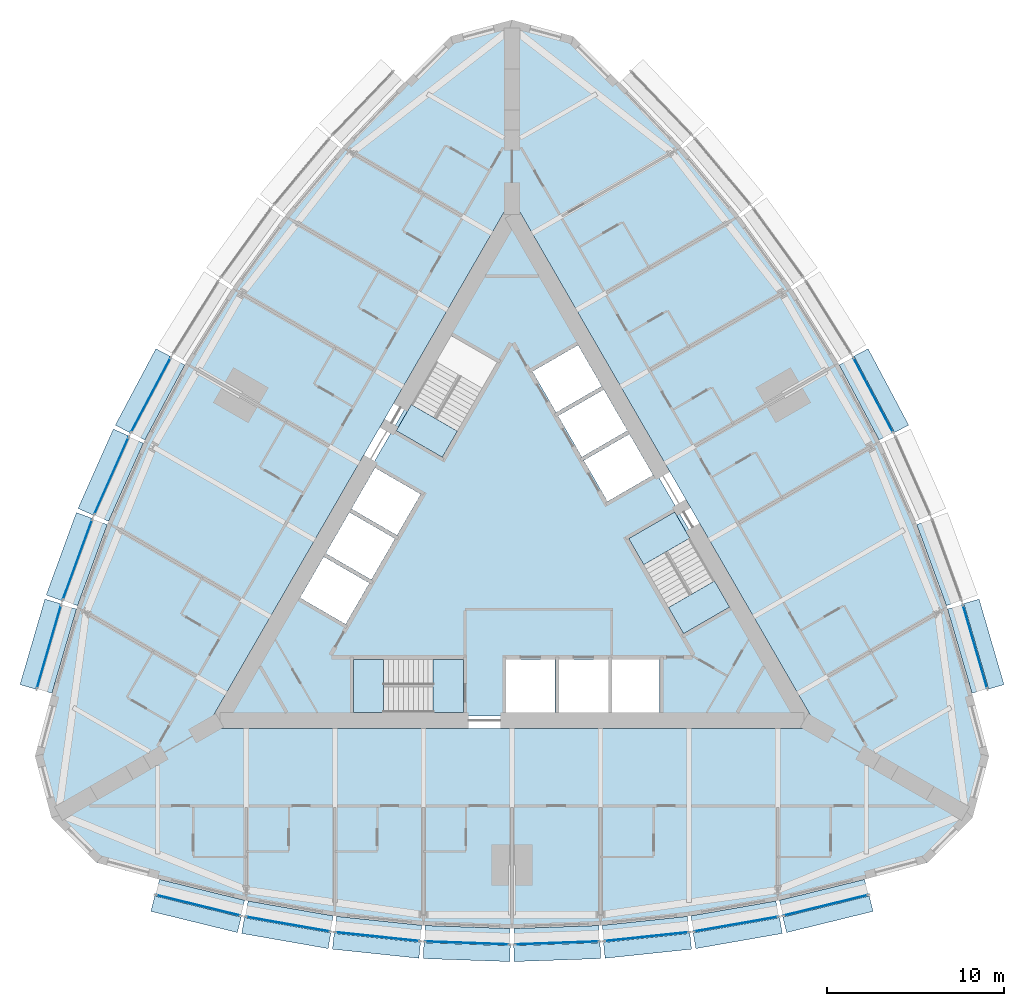
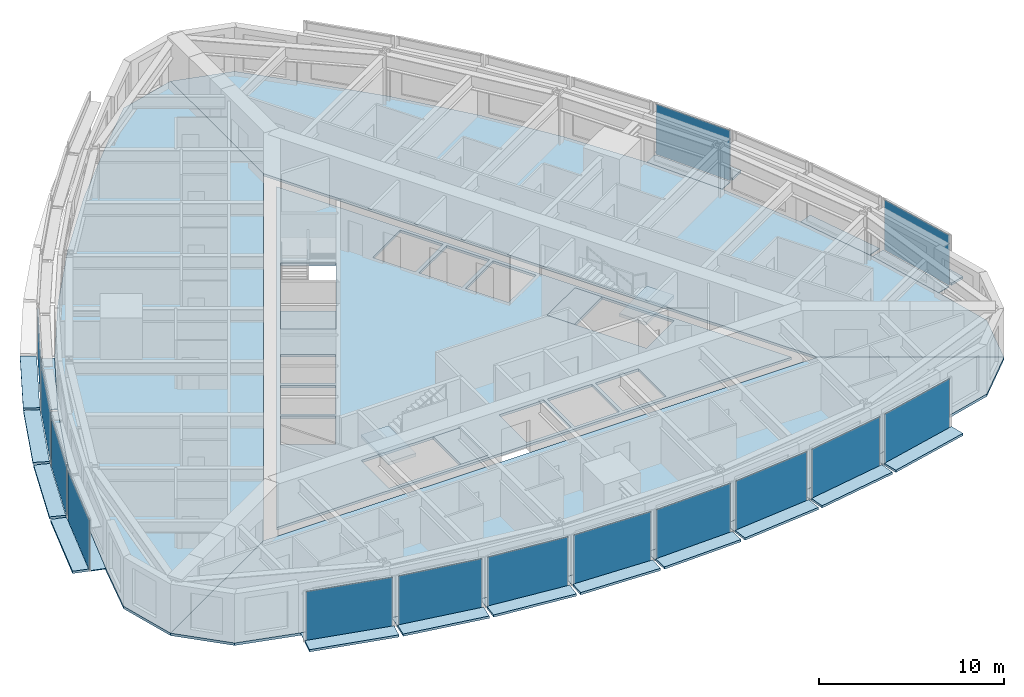
# One storey, part 6 of 14: 43 plates, 9 slabs, 17 elements without a shape of their own.
"""IFC4 building model written with IfcOpenShell, lengths in metres."""

from ifc_helpers import new_model, si_unit, direction, frame, origin, origin_2d, place, context, subcontext, project, spatial, polyline, rectangle, outline, extrude, material, layer, layer_set, type_object, element, aggregate, save


model = new_model("IFC4")

# Units and contexts
model_context = context("Model", 3, precision=1e-05, world=origin(), true_north=direction((0.0, 1.0)))
body_context = subcontext(model_context, "Body", "Model", "MODEL_VIEW")
ifc_project = project(units=[si_unit("LENGTHUNIT", "METRE"), si_unit("AREAUNIT", "SQUARE_METRE"), si_unit("VOLUMEUNIT", "CUBIC_METRE"), si_unit("PLANEANGLEUNIT", "RADIAN"), si_unit("MASSUNIT", "GRAM", prefix="KILO")], contexts=[model_context])

# Site, building, storey
site_placement = place(None, origin())
site = spatial("IfcSite", under=ifc_project, at=site_placement, CompositionType="ELEMENT")
building_placement = place(site_placement, origin())
building = spatial("IfcBuilding", under=site, at=building_placement, Name="Trikona Tower", CompositionType="ELEMENT")
storey_placement = place(building_placement, frame((0.0, 0.0, 118.10009765625)))
storey = spatial("IfcBuildingStorey", under=building, at=storey_placement, Name="L30", CompositionType="ELEMENT", Elevation=118.10009765625)

# Plates
ifc_material_1 = material(Name="Aluminium bar grating", Category="aluminium")
ifc_layer_1 = layer(ifc_material_1, 0.050048828125)
ifc_layer_set_1 = layer_set([ifc_layer_1], Name="Cavity catwalk grating")
plate_type_1 = type_object("IfcPlateType", Name="Cavity catwalk grating", PredefinedType="USERDEFINED", material=ifc_layer_set_1)
plate_1_placement = place(storey_placement, frame((-17.598876953125, -19.49072265625, -0.05029296875), z_axis=(0.0, 0.0, 1.0), x_axis=(0.971274411564, -0.237962218516, 0.0)))
element("IfcPlate", 1, at=plate_1_placement, inside=storey, type_object=plate_type_1, Name="Cavity catwalk L30-00", ObjectType="CATWALK GRATING", PredefinedType="USERDEFINED", context=body_context, shape_type="SweptSolid", body=[
    extrude(rectangle(XDim=4.947998046875, YDim=0.830078125, at=origin_2d()), origin(), (0.0, 0.0, 1.0), 0.050048828125),
])
plate_2_placement = place(storey_placement, frame((-12.571533203125, -20.54638671875, -0.05029296875), z_axis=(0.0, 0.0, 1.0), x_axis=(0.985030604067, -0.172379549401, 0.0)))
element("IfcPlate", 2, at=plate_2_placement, inside=storey, type_object=plate_type_1, Name="Cavity catwalk L30-01", ObjectType="CATWALK GRATING", PredefinedType="USERDEFINED", context=body_context, shape_type="SweptSolid", body=[
    extrude(rectangle(XDim=4.8759765625, YDim=0.830078125, at=origin_2d()), origin(), (0.0, 0.0, 1.0), 0.050048828125),
])
plate_3_placement = place(storey_placement, frame((-7.543212890625, -21.25048828125, -0.05029296875), z_axis=(0.0, 0.0, 1.0), x_axis=(0.994532653854, -0.104426052392, 0.0)))
element("IfcPlate", 3, at=plate_3_placement, inside=storey, type_object=plate_type_1, Name="Cavity catwalk L30-02", ObjectType="CATWALK GRATING", PredefinedType="USERDEFINED", context=body_context, shape_type="SweptSolid", body=[
    extrude(rectangle(XDim=4.827392578125, YDim=0.830078125, at=origin_2d()), origin(), (0.0, 0.0, 1.0), 0.050048828125),
])
for number, where, z_axis, x_axis, name in (
    (4, (-2.514404296875, -21.602294921875, -0.05029296875), (0.0, 0.0, 1.0), (0.999388082937, -0.034977988567, 0.0), "Cavity catwalk L30-03"),
    (5, (2.514404296875, -21.602294921875, -0.05029296875), (0.0, 0.0, 1.0), (0.999388082937, 0.034977988567, 0.0), "Cavity catwalk L30-04"),
):
    element("IfcPlate", number, at=place(storey_placement, frame(where, z_axis=z_axis, x_axis=x_axis)), inside=storey, type_object=plate_type_1, Name=name, ObjectType="CATWALK GRATING", PredefinedType="USERDEFINED", context=body_context, shape_type="SweptSolid", body=[
        extrude(rectangle(XDim=4.802978515625, YDim=0.830078125, at=origin_2d()), origin(), (0.0, 0.0, 1.0), 0.050048828125),
    ])
plate_4_placement = place(storey_placement, frame((7.543212890625, -21.25048828125, -0.05029296875), z_axis=(0.0, 0.0, 1.0), x_axis=(0.994532653854, 0.104426052392, 0.0)))
element("IfcPlate", 6, at=plate_4_placement, inside=storey, type_object=plate_type_1, Name="Cavity catwalk L30-05", ObjectType="CATWALK GRATING", PredefinedType="USERDEFINED", context=body_context, shape_type="SweptSolid", body=[
    extrude(rectangle(XDim=4.827392578125, YDim=0.830078125, at=origin_2d()), origin(), (0.0, 0.0, 1.0), 0.050048828125),
])
plate_5_placement = place(storey_placement, frame((12.571533203125, -20.54638671875, -0.05029296875), z_axis=(0.0, 0.0, 1.0), x_axis=(0.985030604067, 0.172379549401, 0.0)))
element("IfcPlate", 7, at=plate_5_placement, inside=storey, type_object=plate_type_1, Name="Cavity catwalk L30-06", ObjectType="CATWALK GRATING", PredefinedType="USERDEFINED", context=body_context, shape_type="SweptSolid", body=[
    extrude(rectangle(XDim=4.8759765625, YDim=0.830078125, at=origin_2d()), origin(), (0.0, 0.0, 1.0), 0.050048828125),
])
plate_6_placement = place(storey_placement, frame((17.598876953125, -19.49072265625, -0.05029296875), z_axis=(0.0, 0.0, 1.0), x_axis=(0.971274411564, 0.237962218516, 0.0)))
element("IfcPlate", 8, at=plate_6_placement, inside=storey, type_object=plate_type_1, Name="Cavity catwalk L30-07", ObjectType="CATWALK GRATING", PredefinedType="USERDEFINED", context=body_context, shape_type="SweptSolid", body=[
    extrude(rectangle(XDim=4.947998046875, YDim=0.830078125, at=origin_2d()), origin(), (0.0, 0.0, 1.0), 0.050048828125),
])
plate_7_placement = place(storey_placement, frame((25.678955078125, -5.49560546875, -0.05029296875), z_axis=(0.0, 0.0, 1.0), x_axis=(-0.279554203664, 0.960129911634, 0.0)))
element("IfcPlate", 9, at=plate_7_placement, inside=storey, type_object=plate_type_1, Name="Cavity catwalk L30-12", ObjectType="CATWALK GRATING", PredefinedType="USERDEFINED", context=body_context, shape_type="SweptSolid", body=[
    extrude(rectangle(XDim=4.94775390625, YDim=0.830078125, at=origin_2d()), origin(), (0.0, 0.0, 1.0), 0.050048828125),
])
plate_8_placement = place(storey_placement, frame((24.07958984375, -0.614013671875, -0.05029296875), z_axis=(0.0, 0.0, 1.0), x_axis=(-0.343220397324, 0.939254895575, 0.0)))
element("IfcPlate", 10, at=plate_8_placement, inside=storey, type_object=plate_type_1, Name="Cavity catwalk L30-13", ObjectType="CATWALK GRATING", PredefinedType="USERDEFINED", context=body_context, shape_type="SweptSolid", body=[
    extrude(rectangle(XDim=4.8759765625, YDim=0.830078125, at=origin_2d()), origin(), (0.0, 0.0, 1.0), 0.050048828125),
])
for number, where, z_axis, x_axis, name in (
    (11, (19.965576171875, 8.62353515625, -0.05029296875), (0.0, 0.0, 1.0), (-0.469397591494, 0.882986920118, 0.0), "Cavity catwalk L30-15"),
    (12, (-19.965576171875, 8.62353515625, -0.05029296875), (0.0, 0.0, 1.0), (-0.469397591494, -0.882986920118, 0.0), "Cavity catwalk L30-28"),
):
    element("IfcPlate", number, at=place(storey_placement, frame(where, z_axis=z_axis, x_axis=x_axis)), inside=storey, type_object=plate_type_1, Name=name, ObjectType="CATWALK GRATING", PredefinedType="USERDEFINED", context=body_context, shape_type="SweptSolid", body=[
        extrude(rectangle(XDim=4.802978515625, YDim=0.830078125, at=origin_2d()), origin(), (0.0, 0.0, 1.0), 0.050048828125),
    ])
plate_9_placement = place(storey_placement, frame((-22.175048828125, 4.092529296875, -0.05029296875), z_axis=(0.0, 0.0, 1.0), x_axis=(-0.406843467615, -0.913497888809, 0.0)))
element("IfcPlate", 13, at=plate_9_placement, inside=storey, type_object=plate_type_1, Name="Cavity catwalk L30-29", ObjectType="CATWALK GRATING", PredefinedType="USERDEFINED", context=body_context, shape_type="SweptSolid", body=[
    extrude(rectangle(XDim=4.827392578125, YDim=0.830078125, at=origin_2d()), origin(), (0.0, 0.0, 1.0), 0.050048828125),
])
plate_10_placement = place(storey_placement, frame((-24.07958984375, -0.614013671875, -0.05029296875), z_axis=(0.0, 0.0, 1.0), x_axis=(-0.343220397324, -0.939254895575, 0.0)))
element("IfcPlate", 14, at=plate_10_placement, inside=storey, type_object=plate_type_1, Name="Cavity catwalk L30-30", ObjectType="CATWALK GRATING", PredefinedType="USERDEFINED", context=body_context, shape_type="SweptSolid", body=[
    extrude(rectangle(XDim=4.8759765625, YDim=0.830078125, at=origin_2d()), origin(), (0.0, 0.0, 1.0), 0.050048828125),
])
plate_11_placement = place(storey_placement, frame((-25.678955078125, -5.49560546875, -0.05029296875), z_axis=(0.0, 0.0, 1.0), x_axis=(-0.279554203664, -0.960129911634, 0.0)))
element("IfcPlate", 15, at=plate_11_placement, inside=storey, type_object=plate_type_1, Name="Cavity catwalk L30-31", ObjectType="CATWALK GRATING", PredefinedType="USERDEFINED", context=body_context, shape_type="SweptSolid", body=[
    extrude(rectangle(XDim=4.94775390625, YDim=0.830078125, at=origin_2d()), origin(), (0.0, 0.0, 1.0), 0.050048828125),
])

# Slabs
ifc_material_2 = material(Name="Concrete f'c 5000 psi lightweight on composite steel deck", Category="concrete")
ifc_layer_2 = layer(ifc_material_2, 0.1650390625)
ifc_layer_set_2 = layer_set([ifc_layer_2], Name="Composite floor slab 165")
slab_type_1 = type_object("IfcSlabType", Name="Composite floor slab 165", PredefinedType="FLOOR", material=ifc_layer_set_2)
slab_1_placement = place(storey_placement, frame((0.0, 0.0, -0.1650390625)))
element("IfcSlab", 16, at=slab_1_placement, inside=storey, type_object=slab_type_1, Name="Floor slab L30 core", PredefinedType="FLOOR", context=body_context, shape_type="SweptSolid", body=[
    extrude(outline(polyline([(-16.06689453125, -9.2763671875), (16.06689453125, -9.2763671875), (0.0, 18.552490234375), (-16.06689453125, -9.2763671875)]), holes=[polyline([(12.285400390625, -3.126220703125), (9.185302734375, 2.2431640625), (6.587158203125, 0.7431640625), (9.687255859375, -4.626220703125), (12.285400390625, -3.126220703125)]), polyline([(8.340087890625, -9.06640625), (8.340087890625, -6.086181640625), (5.659912109375, -6.086181640625), (5.659912109375, -9.06640625), (8.340087890625, -9.06640625)]), polyline([(5.390869140625, 2.835205078125), (7.9716796875, 4.3251953125), (6.631591796875, 6.646240234375), (4.05078125, 5.15625), (5.390869140625, 2.835205078125)]), polyline([(2.600830078125, 7.667724609375), (3.94091796875, 5.3466796875), (6.521484375, 6.8369140625), (5.181640625, 9.15771484375), (2.600830078125, 7.667724609375)]), polyline([(5.43994140625, -6.086181640625), (2.659912109375, -6.086181640625), (2.659912109375, -9.06640625), (5.43994140625, -9.06640625), (5.43994140625, -6.086181640625)]), polyline([(3.731689453125, 11.669189453125), (1.15087890625, 10.17919921875), (2.490966796875, 7.858154296875), (5.071533203125, 9.34814453125), (3.731689453125, 11.669189453125)]), polyline([(-0.340087890625, -6.086181640625), (-0.340087890625, -9.06640625), (2.43994140625, -9.06640625), (2.43994140625, -6.086181640625), (-0.340087890625, -6.086181640625)]), polyline([(-3.435302734375, 12.202392578125), (-6.535400390625, 6.8330078125), (-3.937255859375, 5.3330078125), (-0.837158203125, 10.702392578125), (-3.435302734375, 12.202392578125)]), polyline([(-8.949951171875, -9.076416015625), (-2.75, -9.076416015625), (-2.75, -6.076416015625), (-8.949951171875, -6.076416015625), (-8.949951171875, -9.076416015625)]), polyline([(-5.15087890625, 3.2509765625), (-7.731689453125, 4.740966796875), (-9.071533203125, 2.419921875), (-6.490966796875, 0.929931640625), (-5.15087890625, 3.2509765625)]), polyline([(-7.94091796875, -1.581298828125), (-6.600830078125, 0.739501953125), (-9.181640625, 2.2294921875), (-10.521484375, -0.09130859375), (-7.94091796875, -1.581298828125)]), polyline([(-11.9716796875, -2.602783203125), (-9.390869140625, -4.093017578125), (-8.05078125, -1.77197265625), (-10.631591796875, -0.281982421875), (-11.9716796875, -2.602783203125)])]), origin(), (0.0, 0.0, 1.0), 0.1650390625),
])
slab_2_placement = place(storey_placement, frame((0.0, 0.0, -0.1650390625)))
element("IfcSlab", 17, at=slab_2_placement, inside=storey, type_object=slab_type_1, Name="Floor slab L30 south", PredefinedType="FLOOR", context=body_context, shape_type="SweptSolid", body=[
    extrude(outline(polyline([(23.464111328125, -17.547119140625), (26.0, -15.010986328125), (17.279296875, -9.976318359375), (-17.279296875, -9.976318359375), (-26.0, -15.010986328125), (-23.464111328125, -17.547119140625), (-20.0, -18.47509765625), (-15.0, -19.7001953125), (-10.0, -20.5751953125), (-5.0, -21.10009765625), (0.0, -21.275146484375), (5.0, -21.10009765625), (10.0, -20.5751953125), (15.0, -19.7001953125), (20.0, -18.47509765625), (23.464111328125, -17.547119140625)])), origin(), (0.0, 0.0, 1.0), 0.1650390625),
])
slab_3_placement = place(storey_placement, frame((0.0, 0.0, -0.1650390625)))
element("IfcSlab", 18, at=slab_3_placement, inside=storey, type_object=slab_type_1, Name="Floor slab L30 north-east", PredefinedType="FLOOR", context=body_context, shape_type="SweptSolid", body=[
    extrude(outline(polyline([(3.464111328125, 29.093994140625), (0.0, 30.022216796875), (0.0, 19.95263671875), (17.279296875, -9.976318359375), (26.0, -15.010986328125), (26.92822265625, -11.547119140625), (26.0, -8.0830078125), (24.560791015625, -3.140380859375), (22.818603515625, 1.62744140625), (20.773193359375, 6.219970703125), (18.4248046875, 10.6376953125), (15.773193359375, 14.880126953125), (12.818603515625, 18.947998046875), (9.560791015625, 22.840576171875), (6.0, 26.55810546875), (3.464111328125, 29.093994140625)])), origin(), (0.0, 0.0, 1.0), 0.1650390625),
])
slab_4_placement = place(storey_placement, frame((0.0, 0.0, -0.1650390625)))
element("IfcSlab", 19, at=slab_4_placement, inside=storey, type_object=slab_type_1, Name="Floor slab L30 north-west", PredefinedType="FLOOR", context=body_context, shape_type="SweptSolid", body=[
    extrude(outline(polyline([(0.0, 19.95263671875), (0.0, 30.022216796875), (-3.464111328125, 29.093994140625), (-6.0, 26.55810546875), (-9.560791015625, 22.840576171875), (-12.818603515625, 18.947998046875), (-15.773193359375, 14.880126953125), (-18.4248046875, 10.6376953125), (-20.773193359375, 6.219970703125), (-22.818603515625, 1.62744140625), (-24.560791015625, -3.140380859375), (-26.0, -8.0830078125), (-26.92822265625, -11.547119140625), (-26.0, -15.010986328125), (-17.279296875, -9.976318359375), (0.0, 19.95263671875)])), origin(), (0.0, 0.0, 1.0), 0.1650390625),
])

# Curtain wall, plate
ifc_material_3 = material(Name="Aluminium curtain wall system", Category="aluminium")
curtain_wall_type = type_object("IfcCurtainWallType", Name="Curtain wall DS2", PredefinedType="NOTDEFINED", material=ifc_material_3)
curtain_wall_1_placement = place(storey_placement, origin())
curtain_wall_1 = element("IfcCurtainWall", 20, at=curtain_wall_1_placement, inside=storey, type_object=curtain_wall_type, Name="Curtain wall DS2 L30", PredefinedType="NOTDEFINED")
ifc_material_4 = material(Name="Laminated clear glass", Category="glass")
ifc_layer_3 = layer(ifc_material_4, 0.028076171875)
ifc_layer_set_3 = layer_set([ifc_layer_3], Name="Glass panel DS2")
plate_type_2 = type_object("IfcPlateType", Name="Glass panel DS2", PredefinedType="CURTAIN_PANEL", material=ifc_layer_set_3)
plate_12_placement = place(storey_placement, frame((-17.714111328125, -19.9619140625, 0.0), z_axis=(0.0, 0.0, 1.0), x_axis=(0.971272455026, -0.237970204243, 0.0)))
plate_12 = element("IfcPlate", 21, at=plate_12_placement, type_object=plate_type_2, Name="CW-DS2 panel 1.1", PredefinedType="CURTAIN_PANEL", context=body_context, shape_type="SweptSolid", body=[
    extrude(rectangle(XDim=4.867919921875, YDim=0.028076171875, at=origin_2d()), origin(), (0.0, 0.0, 1.0), 3.320068359375),
])
aggregate(curtain_wall_1, [plate_12])

curtain_wall_2_placement = place(storey_placement, origin())
curtain_wall_2 = element("IfcCurtainWall", 22, at=curtain_wall_2_placement, inside=storey, type_object=curtain_wall_type, Name="Curtain wall DS2 L30", PredefinedType="NOTDEFINED")
plate_13_placement = place(storey_placement, frame((-12.655029296875, -21.024169921875, 0.0), z_axis=(0.0, 0.0, 1.0), x_axis=(0.985030981074, -0.17237739505, 0.0)))
plate_13 = element("IfcPlate", 23, at=plate_13_placement, type_object=plate_type_2, Name="CW-DS2 panel 1.1", PredefinedType="CURTAIN_PANEL", context=body_context, shape_type="SweptSolid", body=[
    extrude(rectangle(XDim=4.7958984375, YDim=0.028076171875, at=origin_2d()), origin(), (0.0, 0.0, 1.0), 3.320068359375),
])
aggregate(curtain_wall_2, [plate_13])

curtain_wall_3_placement = place(storey_placement, origin())
curtain_wall_3 = element("IfcCurtainWall", 24, at=curtain_wall_3_placement, inside=storey, type_object=curtain_wall_type, Name="Curtain wall DS2 L30", PredefinedType="NOTDEFINED")
plate_14_placement = place(storey_placement, frame((-7.593994140625, -21.732666015625, 0.0), z_axis=(0.0, 0.0, 1.0), x_axis=(0.994531883654, -0.104433387357, 0.0)))
plate_14 = element("IfcPlate", 25, at=plate_14_placement, type_object=plate_type_2, Name="CW-DS2 panel 1.1", PredefinedType="CURTAIN_PANEL", context=body_context, shape_type="SweptSolid", body=[
    extrude(rectangle(XDim=4.747314453125, YDim=0.028076171875, at=origin_2d()), origin(), (0.0, 0.0, 1.0), 3.320068359375),
])
aggregate(curtain_wall_3, [plate_14])

curtain_wall_4_placement = place(storey_placement, origin())
curtain_wall_4 = element("IfcCurtainWall", 26, at=curtain_wall_4_placement, inside=storey, type_object=curtain_wall_type, Name="Curtain wall DS2 L30", PredefinedType="NOTDEFINED")
plate_15_placement = place(storey_placement, frame((-2.531494140625, -22.087158203125, 0.0), z_axis=(0.0, 0.0, 1.0), x_axis=(0.99938737114, -0.034998320052, 0.0)))
plate_15 = element("IfcPlate", 27, at=plate_15_placement, type_object=plate_type_2, Name="CW-DS2 panel 1.1", PredefinedType="CURTAIN_PANEL", context=body_context, shape_type="SweptSolid", body=[
    extrude(rectangle(XDim=4.72314453125, YDim=0.028076171875, at=origin_2d()), origin(), (0.0, 0.0, 1.0), 3.320068359375),
])
aggregate(curtain_wall_4, [plate_15])

curtain_wall_5_placement = place(storey_placement, origin())
curtain_wall_5 = element("IfcCurtainWall", 28, at=curtain_wall_5_placement, inside=storey, type_object=curtain_wall_type, Name="Curtain wall DS2 L30", PredefinedType="NOTDEFINED")
plate_16_placement = place(storey_placement, frame((2.531494140625, -22.087158203125, 0.0), z_axis=(0.0, 0.0, 1.0), x_axis=(0.99938737114, 0.034998320052, 0.0)))
plate_16 = element("IfcPlate", 29, at=plate_16_placement, type_object=plate_type_2, Name="CW-DS2 panel 1.1", PredefinedType="CURTAIN_PANEL", context=body_context, shape_type="SweptSolid", body=[
    extrude(rectangle(XDim=4.72314453125, YDim=0.028076171875, at=origin_2d()), origin(), (0.0, 0.0, 1.0), 3.320068359375),
])
aggregate(curtain_wall_5, [plate_16])

curtain_wall_6_placement = place(storey_placement, origin())
curtain_wall_6 = element("IfcCurtainWall", 30, at=curtain_wall_6_placement, inside=storey, type_object=curtain_wall_type, Name="Curtain wall DS2 L30", PredefinedType="NOTDEFINED")
plate_17_placement = place(storey_placement, frame((7.593994140625, -21.732666015625, 0.0), z_axis=(0.0, 0.0, 1.0), x_axis=(0.994531883654, 0.104433387357, 0.0)))
plate_17 = element("IfcPlate", 31, at=plate_17_placement, type_object=plate_type_2, Name="CW-DS2 panel 1.1", PredefinedType="CURTAIN_PANEL", context=body_context, shape_type="SweptSolid", body=[
    extrude(rectangle(XDim=4.747314453125, YDim=0.028076171875, at=origin_2d()), origin(), (0.0, 0.0, 1.0), 3.320068359375),
])
aggregate(curtain_wall_6, [plate_17])

curtain_wall_7_placement = place(storey_placement, origin())
curtain_wall_7 = element("IfcCurtainWall", 32, at=curtain_wall_7_placement, inside=storey, type_object=curtain_wall_type, Name="Curtain wall DS2 L30", PredefinedType="NOTDEFINED")
plate_18_placement = place(storey_placement, frame((12.655029296875, -21.024169921875, 0.0), z_axis=(0.0, 0.0, 1.0), x_axis=(0.985030981074, 0.17237739505, 0.0)))
plate_18 = element("IfcPlate", 33, at=plate_18_placement, type_object=plate_type_2, Name="CW-DS2 panel 1.1", PredefinedType="CURTAIN_PANEL", context=body_context, shape_type="SweptSolid", body=[
    extrude(rectangle(XDim=4.7958984375, YDim=0.028076171875, at=origin_2d()), origin(), (0.0, 0.0, 1.0), 3.320068359375),
])
aggregate(curtain_wall_7, [plate_18])

curtain_wall_8_placement = place(storey_placement, origin())
curtain_wall_8 = element("IfcCurtainWall", 34, at=curtain_wall_8_placement, inside=storey, type_object=curtain_wall_type, Name="Curtain wall DS2 L30", PredefinedType="NOTDEFINED")
plate_19_placement = place(storey_placement, frame((17.714111328125, -19.9619140625, 0.0), z_axis=(0.0, 0.0, 1.0), x_axis=(0.971272455026, 0.237970204243, 0.0)))
plate_19 = element("IfcPlate", 35, at=plate_19_placement, type_object=plate_type_2, Name="CW-DS2 panel 1.1", PredefinedType="CURTAIN_PANEL", context=body_context, shape_type="SweptSolid", body=[
    extrude(rectangle(XDim=4.867919921875, YDim=0.028076171875, at=origin_2d()), origin(), (0.0, 0.0, 1.0), 3.320068359375),
])
aggregate(curtain_wall_8, [plate_19])

curtain_wall_9_placement = place(storey_placement, origin())
curtain_wall_9 = element("IfcCurtainWall", 36, at=curtain_wall_9_placement, inside=storey, type_object=curtain_wall_type, Name="Curtain wall DS2 L30", PredefinedType="NOTDEFINED")
plate_20_placement = place(storey_placement, frame((26.14453125, -5.360107421875, 0.0), z_axis=(0.0, 0.0, 1.0), x_axis=(-0.279543247757, 0.96013310152, 0.0)))
plate_20 = element("IfcPlate", 37, at=plate_20_placement, type_object=plate_type_2, Name="CW-DS2 panel 1.1", PredefinedType="CURTAIN_PANEL", context=body_context, shape_type="SweptSolid", body=[
    extrude(rectangle(XDim=4.867919921875, YDim=0.028076171875, at=origin_2d()), origin(), (0.0, 0.0, 1.0), 3.320068359375),
])
aggregate(curtain_wall_9, [plate_20])

curtain_wall_10_placement = place(storey_placement, origin())
curtain_wall_10 = element("IfcCurtainWall", 38, at=curtain_wall_10_placement, inside=storey, type_object=curtain_wall_type, Name="Curtain wall DS2 L30", PredefinedType="NOTDEFINED")
plate_21_placement = place(storey_placement, frame((20.393798828125, 8.851318359375, 0.0), z_axis=(0.0, 0.0, 1.0), x_axis=(-0.469380308937, 0.882996107343, 0.0)))
plate_21 = element("IfcPlate", 39, at=plate_21_placement, type_object=plate_type_2, Name="CW-DS2 panel 1.1", PredefinedType="CURTAIN_PANEL", context=body_context, shape_type="SweptSolid", body=[
    extrude(rectangle(XDim=4.72314453125, YDim=0.028076171875, at=origin_2d()), origin(), (0.0, 0.0, 1.0), 3.320068359375),
])
aggregate(curtain_wall_10, [plate_21])

curtain_wall_11_placement = place(storey_placement, origin())
curtain_wall_11 = element("IfcCurtainWall", 40, at=curtain_wall_11_placement, inside=storey, type_object=curtain_wall_type, Name="Curtain wall DS2 L30", PredefinedType="NOTDEFINED")
plate_22_placement = place(storey_placement, frame((-20.393798828125, 8.851318359375, 0.0), z_axis=(0.0, 0.0, 1.0), x_axis=(-0.469380308937, -0.882996107343, 0.0)))
plate_22 = element("IfcPlate", 41, at=plate_22_placement, type_object=plate_type_2, Name="CW-DS2 panel 1.1", PredefinedType="CURTAIN_PANEL", context=body_context, shape_type="SweptSolid", body=[
    extrude(rectangle(XDim=4.72314453125, YDim=0.028076171875, at=origin_2d()), origin(), (0.0, 0.0, 1.0), 3.320068359375),
])
aggregate(curtain_wall_11, [plate_22])

curtain_wall_12_placement = place(storey_placement, origin())
curtain_wall_12 = element("IfcCurtainWall", 42, at=curtain_wall_12_placement, inside=storey, type_object=curtain_wall_type, Name="Curtain wall DS2 L30", PredefinedType="NOTDEFINED")
plate_23_placement = place(storey_placement, frame((-22.6181640625, 4.289794921875, 0.0), z_axis=(0.0, 0.0, 1.0), x_axis=(-0.406836013132, -0.913501208767, 0.0)))
plate_23 = element("IfcPlate", 43, at=plate_23_placement, type_object=plate_type_2, Name="CW-DS2 panel 1.1", PredefinedType="CURTAIN_PANEL", context=body_context, shape_type="SweptSolid", body=[
    extrude(rectangle(XDim=4.747314453125, YDim=0.028076171875, at=origin_2d()), origin(), (0.0, 0.0, 1.0), 3.320068359375),
])
aggregate(curtain_wall_12, [plate_23])

curtain_wall_13_placement = place(storey_placement, origin())
curtain_wall_13 = element("IfcCurtainWall", 44, at=curtain_wall_13_placement, inside=storey, type_object=curtain_wall_type, Name="Curtain wall DS2 L30", PredefinedType="NOTDEFINED")
plate_24_placement = place(storey_placement, frame((-24.53515625, -0.447509765625, 0.0), z_axis=(0.0, 0.0, 1.0), x_axis=(-0.343223420143, -0.939253790978, 0.0)))
plate_24 = element("IfcPlate", 45, at=plate_24_placement, type_object=plate_type_2, Name="CW-DS2 panel 1.1", PredefinedType="CURTAIN_PANEL", context=body_context, shape_type="SweptSolid", body=[
    extrude(rectangle(XDim=4.7958984375, YDim=0.028076171875, at=origin_2d()), origin(), (0.0, 0.0, 1.0), 3.320068359375),
])
aggregate(curtain_wall_13, [plate_24])

curtain_wall_14_placement = place(storey_placement, origin())
curtain_wall_14 = element("IfcCurtainWall", 46, at=curtain_wall_14_placement, inside=storey, type_object=curtain_wall_type, Name="Curtain wall DS2 L30", PredefinedType="NOTDEFINED")
plate_25_placement = place(storey_placement, frame((-26.14453125, -5.360107421875, 0.0), z_axis=(0.0, 0.0, 1.0), x_axis=(-0.279543247757, -0.96013310152, 0.0)))
plate_25 = element("IfcPlate", 47, at=plate_25_placement, type_object=plate_type_2, Name="CW-DS2 panel 1.1", PredefinedType="CURTAIN_PANEL", context=body_context, shape_type="SweptSolid", body=[
    extrude(rectangle(XDim=4.867919921875, YDim=0.028076171875, at=origin_2d()), origin(), (0.0, 0.0, 1.0), 3.320068359375),
])
aggregate(curtain_wall_14, [plate_25])

# Plates
ifc_material_5 = material(Name="Aluminium plate fin, pale anodised, on stainless steel outriggers", Category="steel")
ifc_layer_4 = layer(ifc_material_5, 0.14990234375)
ifc_layer_set_4 = layer_set([ifc_layer_4], Name="Outer skin fin 900")
plate_type_3 = type_object("IfcPlateType", Name="Outer skin fin 900", PredefinedType="USERDEFINED", material=ifc_layer_set_4)
plate_26_placement = place(storey_placement, frame((-17.837890625, -20.466796875, 0.0), z_axis=(0.0, 0.0, 1.0), x_axis=(0.971274411564, -0.237962218516, 0.0)))
element("IfcPlate", 48, at=plate_26_placement, inside=storey, type_object=plate_type_3, Name="Outer skin fin L30-00", ObjectType="FIN", PredefinedType="USERDEFINED", context=body_context, shape_type="SweptSolid", body=[
    extrude(rectangle(XDim=5.02783203125, YDim=0.89990234375, at=origin_2d()), origin(), (0.0, 0.0, 1.0), 0.14990234375),
])
plate_27_placement = place(storey_placement, frame((-12.744873046875, -21.536376953125, 0.0), z_axis=(0.0, 0.0, 1.0), x_axis=(0.985030604067, -0.172379549401, 0.0)))
element("IfcPlate", 49, at=plate_27_placement, inside=storey, type_object=plate_type_3, Name="Outer skin fin L30-01", ObjectType="FIN", PredefinedType="USERDEFINED", context=body_context, shape_type="SweptSolid", body=[
    extrude(rectangle(XDim=4.9560546875, YDim=0.89990234375, at=origin_2d()), origin(), (0.0, 0.0, 1.0), 0.14990234375),
])
plate_28_placement = place(storey_placement, frame((-7.648193359375, -22.25, 0.0), z_axis=(0.0, 0.0, 1.0), x_axis=(0.994532653854, -0.104426052392, 0.0)))
element("IfcPlate", 50, at=plate_28_placement, inside=storey, type_object=plate_type_3, Name="Outer skin fin L30-02", ObjectType="FIN", PredefinedType="USERDEFINED", context=body_context, shape_type="SweptSolid", body=[
    extrude(rectangle(XDim=4.907470703125, YDim=0.89990234375, at=origin_2d()), origin(), (0.0, 0.0, 1.0), 0.14990234375),
])
for number, where, z_axis, x_axis, name in (
    (51, (-2.5498046875, -22.606689453125, 0.0), (0.0, 0.0, 1.0), (0.999388082937, -0.034977988567, 0.0), "Outer skin fin L30-03"),
    (52, (2.5498046875, -22.606689453125, 0.0), (0.0, 0.0, 1.0), (0.999388082937, 0.034977988567, 0.0), "Outer skin fin L30-04"),
):
    element("IfcPlate", number, at=place(storey_placement, frame(where, z_axis=z_axis, x_axis=x_axis)), inside=storey, type_object=plate_type_3, Name=name, ObjectType="FIN", PredefinedType="USERDEFINED", context=body_context, shape_type="SweptSolid", body=[
        extrude(rectangle(XDim=4.883056640625, YDim=0.89990234375, at=origin_2d()), origin(), (0.0, 0.0, 1.0), 0.14990234375),
    ])
plate_29_placement = place(storey_placement, frame((7.648193359375, -22.25, 0.0), z_axis=(0.0, 0.0, 1.0), x_axis=(0.994532653854, 0.104426052392, 0.0)))
element("IfcPlate", 53, at=plate_29_placement, inside=storey, type_object=plate_type_3, Name="Outer skin fin L30-05", ObjectType="FIN", PredefinedType="USERDEFINED", context=body_context, shape_type="SweptSolid", body=[
    extrude(rectangle(XDim=4.907470703125, YDim=0.89990234375, at=origin_2d()), origin(), (0.0, 0.0, 1.0), 0.14990234375),
])
plate_30_placement = place(storey_placement, frame((12.744873046875, -21.536376953125, 0.0), z_axis=(0.0, 0.0, 1.0), x_axis=(0.985030604067, 0.172379549401, 0.0)))
element("IfcPlate", 54, at=plate_30_placement, inside=storey, type_object=plate_type_3, Name="Outer skin fin L30-06", ObjectType="FIN", PredefinedType="USERDEFINED", context=body_context, shape_type="SweptSolid", body=[
    extrude(rectangle(XDim=4.9560546875, YDim=0.89990234375, at=origin_2d()), origin(), (0.0, 0.0, 1.0), 0.14990234375),
])
for number, where, z_axis, x_axis, name in (
    (55, (17.837890625, -20.466796875, 0.0), (0.0, 0.0, 1.0), (0.971274411564, 0.237962218516, 0.0), "Outer skin fin L30-07"),
    (56, (26.643798828125, -5.214599609375, 0.0), (0.0, 0.0, 1.0), (-0.279554203664, 0.960129911634, 0.0), "Outer skin fin L30-12"),
):
    element("IfcPlate", number, at=place(storey_placement, frame(where, z_axis=z_axis, x_axis=x_axis)), inside=storey, type_object=plate_type_3, Name=name, ObjectType="FIN", PredefinedType="USERDEFINED", context=body_context, shape_type="SweptSolid", body=[
        extrude(rectangle(XDim=5.02783203125, YDim=0.89990234375, at=origin_2d()), origin(), (0.0, 0.0, 1.0), 0.14990234375),
    ])
for number, where, z_axis, x_axis, name in (
    (57, (20.852783203125, 9.09521484375, 0.0), (0.0, 0.0, 1.0), (-0.469397591494, 0.882986920118, 0.0), "Outer skin fin L30-15"),
    (58, (-20.852783203125, 9.09521484375, 0.0), (0.0, 0.0, 1.0), (-0.469397591494, -0.882986920118, 0.0), "Outer skin fin L30-28"),
):
    element("IfcPlate", number, at=place(storey_placement, frame(where, z_axis=z_axis, x_axis=x_axis)), inside=storey, type_object=plate_type_3, Name=name, ObjectType="FIN", PredefinedType="USERDEFINED", context=body_context, shape_type="SweptSolid", body=[
        extrude(rectangle(XDim=4.883056640625, YDim=0.89990234375, at=origin_2d()), origin(), (0.0, 0.0, 1.0), 0.14990234375),
    ])
plate_31_placement = place(storey_placement, frame((-23.09326171875, 4.50146484375, 0.0), z_axis=(0.0, 0.0, 1.0), x_axis=(-0.406843467615, -0.913497888809, 0.0)))
element("IfcPlate", 59, at=plate_31_placement, inside=storey, type_object=plate_type_3, Name="Outer skin fin L30-29", ObjectType="FIN", PredefinedType="USERDEFINED", context=body_context, shape_type="SweptSolid", body=[
    extrude(rectangle(XDim=4.907470703125, YDim=0.89990234375, at=origin_2d()), origin(), (0.0, 0.0, 1.0), 0.14990234375),
])
plate_32_placement = place(storey_placement, frame((-25.0234375, -0.26904296875, 0.0), z_axis=(0.0, 0.0, 1.0), x_axis=(-0.343220397324, -0.939254895575, 0.0)))
element("IfcPlate", 60, at=plate_32_placement, inside=storey, type_object=plate_type_3, Name="Outer skin fin L30-30", ObjectType="FIN", PredefinedType="USERDEFINED", context=body_context, shape_type="SweptSolid", body=[
    extrude(rectangle(XDim=4.9560546875, YDim=0.89990234375, at=origin_2d()), origin(), (0.0, 0.0, 1.0), 0.14990234375),
])
plate_33_placement = place(storey_placement, frame((-26.643798828125, -5.214599609375, 0.0), z_axis=(0.0, 0.0, 1.0), x_axis=(-0.279554203664, -0.960129911634, 0.0)))
element("IfcPlate", 61, at=plate_33_placement, inside=storey, type_object=plate_type_3, Name="Outer skin fin L30-31", ObjectType="FIN", PredefinedType="USERDEFINED", context=body_context, shape_type="SweptSolid", body=[
    extrude(rectangle(XDim=5.02783203125, YDim=0.89990234375, at=origin_2d()), origin(), (0.0, 0.0, 1.0), 0.14990234375),
])

# Stair, slabs
ifc_material_6 = material(Name="Concrete f'c 5000 psi", Category="concrete")
stair_type = type_object("IfcStairType", Name="Core stair", PredefinedType="HALF_TURN_STAIR", material=ifc_material_6)
stair_1_placement = place(storey_placement, origin())
stair_1 = element("IfcStair", 62, at=stair_1_placement, inside=storey, type_object=stair_type, Name="Stair A L30", PredefinedType="HALF_TURN_STAIR")
ifc_material_7 = material(Name="Concrete f'c 5000 psi", Category="concrete")
ifc_layer_5 = layer(ifc_material_7, 0.199951171875)
ifc_layer_set_5 = layer_set([ifc_layer_5], Name="Stair landing 200")
slab_type_2 = type_object("IfcSlabType", Name="Stair landing 200", PredefinedType="LANDING", material=ifc_layer_set_5)
slab_5_placement = place(storey_placement, frame((0.0, 0.0, -0.2001953125)))
slab_5 = element("IfcSlab", 63, at=slab_5_placement, type_object=slab_type_2, Name="ST-A landing 1", PredefinedType="LANDING", context=body_context, shape_type="SweptSolid", body=[
    extrude(outline(polyline([(-4.452880859375, -6.076416015625), (-2.75, -6.076416015625), (-2.75, -9.076416015625), (-4.452880859375, -9.076416015625), (-4.452880859375, -6.076416015625)])), origin(), (0.0, 0.0, 1.0), 0.2001953125),
])
slab_6_placement = place(storey_placement, frame((0.0, 0.0, 1.5)))
slab_6 = element("IfcSlab", 64, at=slab_6_placement, type_object=slab_type_2, Name="ST-A landing 2", PredefinedType="LANDING", context=body_context, shape_type="SweptSolid", body=[
    extrude(outline(polyline([(-8.949951171875, -6.076416015625), (-7.2470703125, -6.076416015625), (-7.2470703125, -9.076416015625), (-8.949951171875, -9.076416015625), (-8.949951171875, -6.076416015625)])), origin(), (0.0, 0.0, 1.0), 0.199951171875),
])
aggregate(stair_1, [slab_5, slab_6])

stair_2_placement = place(storey_placement, origin())
stair_2 = element("IfcStair", 65, at=stair_2_placement, inside=storey, type_object=stair_type, Name="Stair B L30", PredefinedType="HALF_TURN_STAIR")
slab_7_placement = place(storey_placement, frame((0.0, 0.0, -0.2001953125)))
slab_7 = element("IfcSlab", 66, at=slab_7_placement, type_object=slab_type_2, Name="ST-B landing 1", PredefinedType="LANDING", context=body_context, shape_type="SweptSolid", body=[
    extrude(outline(polyline([(7.438720703125, -0.731689453125), (6.587158203125, 0.7431640625), (9.185302734375, 2.2431640625), (10.036865234375, 0.768310546875), (7.438720703125, -0.731689453125)])), origin(), (0.0, 0.0, 1.0), 0.2001953125),
])
slab_8_placement = place(storey_placement, frame((0.0, 0.0, 1.5)))
slab_8 = element("IfcSlab", 67, at=slab_8_placement, type_object=slab_type_2, Name="ST-B landing 2", PredefinedType="LANDING", context=body_context, shape_type="SweptSolid", body=[
    extrude(outline(polyline([(9.687255859375, -4.626220703125), (8.835693359375, -3.1513671875), (11.433837890625, -1.6513671875), (12.285400390625, -3.126220703125), (9.687255859375, -4.626220703125)])), origin(), (0.0, 0.0, 1.0), 0.199951171875),
])
aggregate(stair_2, [slab_7, slab_8])

# Stair, slab
stair_3_placement = place(storey_placement, origin())
stair_3 = element("IfcStair", 68, at=stair_3_placement, inside=storey, type_object=stair_type, Name="Stair C L30", PredefinedType="HALF_TURN_STAIR")
slab_9_placement = place(storey_placement, frame((0.0, 0.0, -0.2001953125)))
slab_9 = element("IfcSlab", 69, at=slab_9_placement, type_object=slab_type_2, Name="ST-C landing 1", PredefinedType="LANDING", context=body_context, shape_type="SweptSolid", body=[
    extrude(outline(polyline([(-3.085693359375, 6.807861328125), (-3.937255859375, 5.3330078125), (-6.535400390625, 6.8330078125), (-5.683837890625, 8.307861328125), (-3.085693359375, 6.807861328125)])), origin(), (0.0, 0.0, 1.0), 0.2001953125),
])
aggregate(stair_3, [slab_9])

save(model, "model.ifc")
